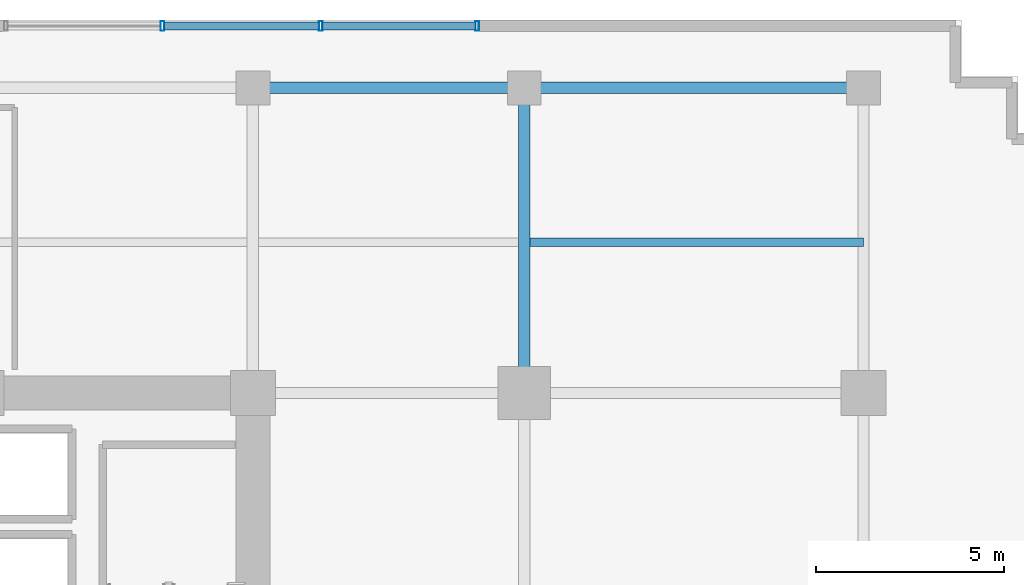
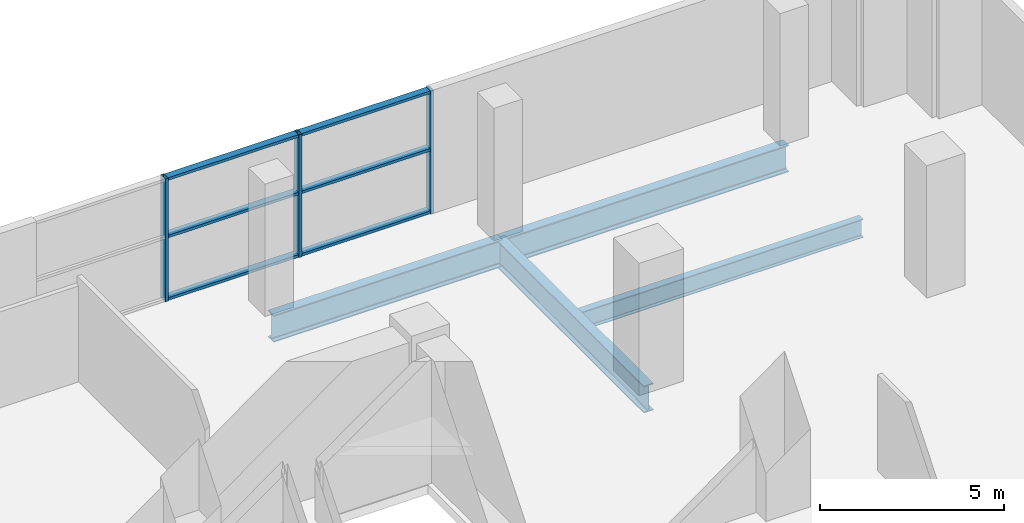
# One storey, part 11 of 23: 9 members, 4 beams, 1 element without a shape of its own.
"""IFC4 building model written with IfcOpenShell, lengths in metres."""

from ifc_helpers import new_model, si_unit, direction, frame, origin, origin_2d, place, context, subcontext, project, spatial, hollow_rectangle, i_section, extrude, source, transform, mapped, material, layer, layer_set, material_profile, profile_set, type_object, element, aggregate, save


model = new_model("IFC4")

# Units and contexts
model_context = context("Model", 3, precision=1e-05, world=origin(), true_north=direction((0.0, 1.0)))
body_context = subcontext(model_context, "Body", "Model", "MODEL_VIEW")
ifc_project = project(units=[si_unit("LENGTHUNIT", "METRE"), si_unit("AREAUNIT", "SQUARE_METRE"), si_unit("VOLUMEUNIT", "CUBIC_METRE"), si_unit("PLANEANGLEUNIT", "RADIAN"), si_unit("MASSUNIT", "GRAM", prefix="KILO")], contexts=[model_context])

# Site, building, storey
site_placement = place(None, origin())
site = spatial("IfcSite", under=ifc_project, at=site_placement, CompositionType="ELEMENT")
building_placement = place(site_placement, origin())
building = spatial("IfcBuilding", under=site, at=building_placement, Name="Zarnakvel Exchange Tower", CompositionType="ELEMENT")
storey_placement = place(building_placement, frame((0.0, 0.0, 13.800048828125)))
storey = spatial("IfcBuildingStorey", under=building, at=storey_placement, Name="L03", CompositionType="ELEMENT", Elevation=13.800048828125)

# Beams
ifc_material_1 = material(Name="Steel S355", Category="steel")
ifc_material_profile_1 = material_profile(ifc_material_1, i_section(OverallWidth=0.230224609375, OverallDepth=0.6171875, WebThickness=0.01318359375, FlangeThickness=0.022216796875, FilletRadius=0.0126953125, at=origin_2d()))
ifc_profile_set_1 = profile_set([ifc_material_profile_1], Name="Steel S355")
beam_type_1 = type_object("IfcBeamType", Name="B-02", PredefinedType="JOIST", material=ifc_profile_set_1)
beam_1_placement = place(storey_placement, frame((21.75, 17.5, -0.608642578125), z_axis=(1.0, 0.0, 0.0), x_axis=(0.0, 1.0, 0.0)))
element("IfcBeam", 1, at=beam_1_placement, inside=storey, type_object=beam_type_1, Name="L03 North Bay Secondary Floor Joist", PredefinedType="JOIST", context=body_context, shape_type="SweptSolid", body=[
    extrude(i_section(OverallWidth=0.230224609375, OverallDepth=0.6171875, WebThickness=0.01318359375, FlangeThickness=0.022216796875, FilletRadius=0.0126953125, at=origin_2d()), origin(), (0.0, 0.0, 1.0), 8.85009765625),
])
ifc_material_profile_2 = material_profile(ifc_material_1, i_section(OverallWidth=0.300048828125, OverallDepth=0.89990234375, WebThickness=0.0185546875, FlangeThickness=0.034912109375, FilletRadius=0.030029296875, at=origin_2d()))
ifc_profile_set_2 = profile_set([ifc_material_profile_2], Name="Steel S355")
beam_type_2 = type_object("IfcBeamType", Name="G-01", PredefinedType="BEAM", material=ifc_profile_set_2)
beam_2_placement = place(storey_placement, frame((14.39990234375, 21.60009765625, -0.75), z_axis=(1.0, 0.0, 0.0), x_axis=(0.0, 1.0, 0.0)))
element("IfcBeam", 2, at=beam_2_placement, inside=storey, type_object=beam_type_2, Name="L03 Primary E-W Girder Y=+21.6", PredefinedType="BEAM", context=body_context, shape_type="SweptSolid", body=[
    extrude(i_section(OverallWidth=0.300048828125, OverallDepth=0.89990234375, WebThickness=0.0185546875, FlangeThickness=0.034912109375, FilletRadius=0.030029296875, at=origin_2d()), origin(), (0.0, 0.0, 1.0), 7.2001953125),
])
beam_3_placement = place(storey_placement, frame((21.60009765625, 21.60009765625, -0.75), z_axis=(1.0, 0.0, 0.0), x_axis=(0.0, 1.0, 0.0)))
element("IfcBeam", 3, at=beam_3_placement, inside=storey, type_object=beam_type_2, Name="L03 Primary E-W Girder Y=+21.6", PredefinedType="BEAM", context=body_context, shape_type="SweptSolid", body=[
    extrude(i_section(OverallWidth=0.300048828125, OverallDepth=0.89990234375, WebThickness=0.0185546875, FlangeThickness=0.034912109375, FilletRadius=0.030029296875, at=origin_2d()), origin(), (0.0, 0.0, 1.0), 9.0),
])
beam_4_placement = place(storey_placement, frame((21.60009765625, 13.5, -0.75), z_axis=(0.0, 1.0, 0.0), x_axis=(-1.0, 0.0, 0.0)))
element("IfcBeam", 4, at=beam_4_placement, inside=storey, type_object=beam_type_2, Name="L03 Primary N-S Girder X=+21.6", PredefinedType="BEAM", context=body_context, shape_type="SweptSolid", body=[
    extrude(i_section(OverallWidth=0.300048828125, OverallDepth=0.89990234375, WebThickness=0.0185546875, FlangeThickness=0.034912109375, FilletRadius=0.030029296875, at=origin_2d()), origin(), (0.0, 0.0, 1.0), 8.10009765625),
])

# Curtain wall, members
ifc_material_2 = material(Name="Architectural Bronze Anodised Aluminium", Category="aluminium")
ifc_layer = layer(ifc_material_2, 0.260009765625)
ifc_layer_set = layer_set([ifc_layer], Name="Architectural Bronze Anodised Aluminium")
curtain_wall_type = type_object("IfcCurtainWallType", Name="CW-01", PredefinedType="NOTDEFINED", material=ifc_layer_set)
curtain_wall_placement = place(storey_placement, origin())
curtain_wall = element("IfcCurtainWall", 5, at=curtain_wall_placement, inside=storey, type_object=curtain_wall_type, Name="L03 Curtain Wall CW-L03-N2 (CW-01)", PredefinedType="NOTDEFINED")
ifc_material_profile_3 = material_profile(ifc_material_2, hollow_rectangle(XDim=0.219970703125, YDim=0.090087890625, WallThickness=0.0048828125, at=origin_2d()))
ifc_profile_set_3 = profile_set([ifc_material_profile_3], Name="Architectural Bronze Anodised Aluminium")
member_type_1 = type_object("IfcMemberType", Name="CWT-01", PredefinedType="USERDEFINED", material=ifc_profile_set_3)
shared_shape_1 = source(origin(), body_context, "Body", "SweptSolid", [
    extrude(hollow_rectangle(XDim=0.219970703125, YDim=0.090087890625, WallThickness=0.0048828125, at=origin_2d()), origin(), (0.0, 0.0, 1.0), 4.050048828125),
])
member_1_placement = place(storey_placement, frame((16.25, 23.239990234375, 0.044921875), z_axis=(1.0, 0.0, 0.0), x_axis=(0.0, 1.0, 0.0)))
member_1 = element("IfcMember", 6, at=member_1_placement, type_object=member_type_1, Name="CW-01 transom 3.1", ObjectType="TRANSOM", PredefinedType="USERDEFINED", context=body_context, shape_type="MappedRepresentation", body=[
    mapped(shared_shape_1, transform((0.0, 0.0, 0.0), x_axis=(1.0, 0.0, 0.0), y_axis=(0.0, 1.0, 0.0), z_axis=(0.0, 0.0, 1.0), scale=1.0)),
])
member_2_placement = place(storey_placement, frame((16.25, 23.239990234375, 2.12158203125), z_axis=(1.0, 0.0, 0.0), x_axis=(0.0, 1.0, 0.0)))
member_2 = element("IfcMember", 7, at=member_2_placement, type_object=member_type_1, Name="CW-01 transom 3.2", ObjectType="TRANSOM", PredefinedType="USERDEFINED", context=body_context, shape_type="MappedRepresentation", body=[
    mapped(shared_shape_1, transform((0.0, 0.0, 0.0), x_axis=(1.0, 0.0, 0.0), y_axis=(0.0, 1.0, 0.0), z_axis=(0.0, 0.0, 1.0), scale=1.0)),
])
member_3_placement = place(storey_placement, frame((16.25, 23.239990234375, 4.034912109375), z_axis=(1.0, 0.0, 0.0), x_axis=(0.0, 1.0, 0.0)))
member_3 = element("IfcMember", 8, at=member_3_placement, type_object=member_type_1, Name="CW-01 transom 3.3", ObjectType="TRANSOM", PredefinedType="USERDEFINED", context=body_context, shape_type="MappedRepresentation", body=[
    mapped(shared_shape_1, transform((0.0, 0.0, 0.0), x_axis=(1.0, 0.0, 0.0), y_axis=(0.0, 1.0, 0.0), z_axis=(0.0, 0.0, 1.0), scale=1.0)),
])
shared_shape_2 = source(origin(), body_context, "Body", "SweptSolid", [
    extrude(hollow_rectangle(XDim=0.219970703125, YDim=0.090087890625, WallThickness=0.0048828125, at=origin_2d()), origin(), (0.0, 0.0, 1.0), 4.099853515625),
])
member_4_placement = place(storey_placement, frame((12.050048828125, 23.239990234375, 0.044921875), z_axis=(1.0, 0.0, 0.0), x_axis=(0.0, 1.0, 0.0)))
member_4 = element("IfcMember", 9, at=member_4_placement, type_object=member_type_1, Name="CW-01 transom 2.1", ObjectType="TRANSOM", PredefinedType="USERDEFINED", context=body_context, shape_type="MappedRepresentation", body=[
    mapped(shared_shape_2, transform((0.0, 0.0, 0.0), x_axis=(1.0, 0.0, 0.0), y_axis=(0.0, 1.0, 0.0), z_axis=(0.0, 0.0, 1.0), scale=1.0)),
])
member_5_placement = place(storey_placement, frame((12.050048828125, 23.239990234375, 2.12158203125), z_axis=(1.0, 0.0, 0.0), x_axis=(0.0, 1.0, 0.0)))
member_5 = element("IfcMember", 10, at=member_5_placement, type_object=member_type_1, Name="CW-01 transom 2.2", ObjectType="TRANSOM", PredefinedType="USERDEFINED", context=body_context, shape_type="MappedRepresentation", body=[
    mapped(shared_shape_2, transform((0.0, 0.0, 0.0), x_axis=(1.0, 0.0, 0.0), y_axis=(0.0, 1.0, 0.0), z_axis=(0.0, 0.0, 1.0), scale=1.0)),
])
member_6_placement = place(storey_placement, frame((12.050048828125, 23.239990234375, 4.034912109375), z_axis=(1.0, 0.0, 0.0), x_axis=(0.0, 1.0, 0.0)))
member_6 = element("IfcMember", 11, at=member_6_placement, type_object=member_type_1, Name="CW-01 transom 2.3", ObjectType="TRANSOM", PredefinedType="USERDEFINED", context=body_context, shape_type="MappedRepresentation", body=[
    mapped(shared_shape_2, transform((0.0, 0.0, 0.0), x_axis=(1.0, 0.0, 0.0), y_axis=(0.0, 1.0, 0.0), z_axis=(0.0, 0.0, 1.0), scale=1.0)),
])
ifc_material_profile_4 = material_profile(ifc_material_2, hollow_rectangle(XDim=0.260009765625, YDim=0.10009765625, WallThickness=0.006103515625, at=origin_2d()))
ifc_profile_set_4 = profile_set([ifc_material_profile_4], Name="Architectural Bronze Anodised Aluminium")
member_type_2 = type_object("IfcMemberType", Name="CWM-01", PredefinedType="MULLION", material=ifc_profile_set_4)
shared_shape_3 = source(origin(), body_context, "Body", "SweptSolid", [
    extrude(hollow_rectangle(XDim=0.260009765625, YDim=0.10009765625, WallThickness=0.006103515625, at=origin_2d()), origin(), (0.0, 0.0, 1.0), 4.079833984375),
])
member_7_placement = place(storey_placement, frame((12.0, 23.239990234375, 0.0), z_axis=(0.0, 0.0, 1.0), x_axis=(0.0, 1.0, 0.0)))
member_7 = element("IfcMember", 12, at=member_7_placement, type_object=member_type_2, Name="CW-01 mullion 2", PredefinedType="MULLION", context=body_context, shape_type="MappedRepresentation", body=[
    mapped(shared_shape_3, transform((0.0, 0.0, 0.0), x_axis=(1.0, 0.0, 0.0), y_axis=(0.0, 1.0, 0.0), z_axis=(0.0, 0.0, 1.0), scale=1.0)),
])
member_8_placement = place(storey_placement, frame((16.199951171875, 23.239990234375, 0.0), z_axis=(0.0, 0.0, 1.0), x_axis=(0.0, 1.0, 0.0)))
member_8 = element("IfcMember", 13, at=member_8_placement, type_object=member_type_2, Name="CW-01 mullion 3", PredefinedType="MULLION", context=body_context, shape_type="MappedRepresentation", body=[
    mapped(shared_shape_3, transform((0.0, 0.0, 0.0), x_axis=(1.0, 0.0, 0.0), y_axis=(0.0, 1.0, 0.0), z_axis=(0.0, 0.0, 1.0), scale=1.0)),
])
member_9_placement = place(storey_placement, frame((20.35009765625, 23.239990234375, 0.0), z_axis=(0.0, 0.0, 1.0), x_axis=(0.0, 1.0, 0.0)))
member_9 = element("IfcMember", 14, at=member_9_placement, type_object=member_type_2, Name="CW-01 mullion 4", PredefinedType="MULLION", context=body_context, shape_type="MappedRepresentation", body=[
    mapped(shared_shape_3, transform((0.0, 0.0, 0.0), x_axis=(1.0, 0.0, 0.0), y_axis=(0.0, 1.0, 0.0), z_axis=(0.0, 0.0, 1.0), scale=1.0)),
])
aggregate(curtain_wall, [member_7, member_8, member_9, member_4, member_5, member_6, member_1, member_2, member_3])

save(model, "model.ifc")
